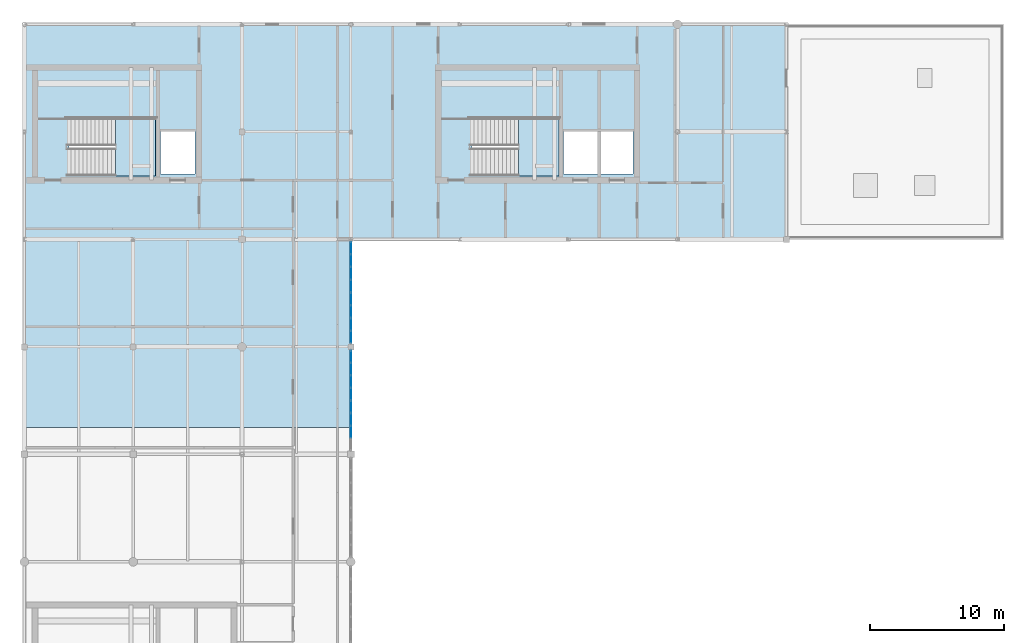
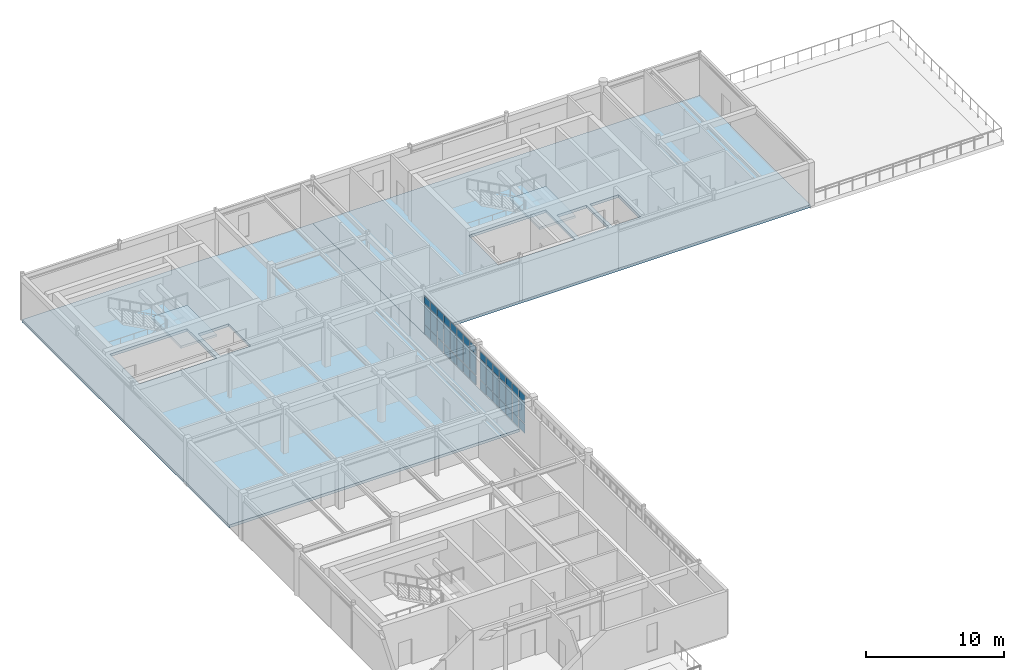
# One storey, part 10 of 18: 45 plates, 4 slabs, 4 elements without a shape of their own.
"""IFC4 building model written with IfcOpenShell, lengths in metres."""

from ifc_helpers import new_model, si_unit, direction, frame, origin, origin_2d, place, context, subcontext, project, spatial, polyline, rectangle, outline, extrude, material, layer, layer_set, type_object, element, aggregate, save


model = new_model("IFC4")

# Units and contexts
model_context = context("Model", 3, precision=1e-05, world=origin(), true_north=direction((0.0, 1.0)))
body_context = subcontext(model_context, "Body", "Model", "MODEL_VIEW")
ifc_project = project(units=[si_unit("LENGTHUNIT", "METRE"), si_unit("AREAUNIT", "SQUARE_METRE"), si_unit("VOLUMEUNIT", "CUBIC_METRE"), si_unit("PLANEANGLEUNIT", "RADIAN"), si_unit("MASSUNIT", "GRAM", prefix="KILO")], contexts=[model_context])

# Site, building, storey
site_placement = place(None, origin())
site = spatial("IfcSite", under=ifc_project, at=site_placement, CompositionType="ELEMENT")
building_placement = place(site_placement, origin())
building = spatial("IfcBuilding", under=site, at=building_placement, Name="Tarnveldt Square Police Headquarters", CompositionType="ELEMENT")
storey_placement = place(building_placement, frame((0.0, 0.0, 29.10009765625)))
storey = spatial("IfcBuildingStorey", under=building, at=storey_placement, Name="L06", CompositionType="ELEMENT", Elevation=29.10009765625)

# Curtain wall, plates
ifc_material_1 = material(Name="Triple-glazed low-e laminated vision glass", Category="glass")
curtain_wall_type_1 = type_object("IfcCurtainWallType", Name="CW-UP-750x349", PredefinedType="USERDEFINED", material=ifc_material_1)
curtain_wall_1_placement = place(storey_placement, origin())
curtain_wall_1 = element("IfcCurtainWall", 1, at=curtain_wall_1_placement, inside=storey, type_object=curtain_wall_type_1, Name="L06 Curtain Wall CW-L06-092", ObjectType="GLAZED CURTAIN WALL", PredefinedType="USERDEFINED")
ifc_layer_1 = layer(ifc_material_1, 0.028076171875)
ifc_layer_set_1 = layer_set([ifc_layer_1], Name="Triple-glazed low-e laminated vision glass")
plate_type = type_object("IfcPlateType", Name="CWP-VIS-28", PredefinedType="CURTAIN_PANEL", material=ifc_layer_set_1)
plate_1_placement = place(storey_placement, frame((40.5, 81.67041015625, 0.06494140625), z_axis=(0.0, 0.0, 1.0), x_axis=(0.0, 1.0, 0.0)))
plate_1 = element("IfcPlate", 2, at=plate_1_placement, type_object=plate_type, Name="CW-UP49 panel 2.1", PredefinedType="CURTAIN_PANEL", context=body_context, shape_type="SweptSolid", body=[
    extrude(rectangle(XDim=0.871826171875, YDim=0.028076171875, at=origin_2d()), origin(), (0.0, 0.0, 1.0), 0.802490234375),
])
plate_2_placement = place(storey_placement, frame((40.5, 81.67041015625, 0.932373046875), z_axis=(0.0, 0.0, 1.0), x_axis=(0.0, 1.0, 0.0)))
plate_2 = element("IfcPlate", 3, at=plate_2_placement, type_object=plate_type, Name="CW-UP49 panel 2.2", PredefinedType="CURTAIN_PANEL", context=body_context, shape_type="SweptSolid", body=[
    extrude(rectangle(XDim=0.871826171875, YDim=0.028076171875, at=origin_2d()), origin(), (0.0, 0.0, 1.0), 1.77392578125),
])
plate_3_placement = place(storey_placement, frame((40.5, 81.67041015625, 2.771484375), z_axis=(0.0, 0.0, 1.0), x_axis=(0.0, 1.0, 0.0)))
plate_3 = element("IfcPlate", 4, at=plate_3_placement, type_object=plate_type, Name="CW-UP49 panel 2.3", PredefinedType="CURTAIN_PANEL", context=body_context, shape_type="SweptSolid", body=[
    extrude(rectangle(XDim=0.871826171875, YDim=0.028076171875, at=origin_2d()), origin(), (0.0, 0.0, 1.0), 0.652587890625),
])
plate_4_placement = place(storey_placement, frame((40.5, 82.607177734375, 0.06494140625), z_axis=(0.0, 0.0, 1.0), x_axis=(0.0, 1.0, 0.0)))
plate_4 = element("IfcPlate", 5, at=plate_4_placement, type_object=plate_type, Name="CW-UP49 panel 3.1", PredefinedType="CURTAIN_PANEL", context=body_context, shape_type="SweptSolid", body=[
    extrude(rectangle(XDim=0.871826171875, YDim=0.028076171875, at=origin_2d()), origin(), (0.0, 0.0, 1.0), 0.802490234375),
])
plate_5_placement = place(storey_placement, frame((40.5, 82.607177734375, 0.932373046875), z_axis=(0.0, 0.0, 1.0), x_axis=(0.0, 1.0, 0.0)))
plate_5 = element("IfcPlate", 6, at=plate_5_placement, type_object=plate_type, Name="CW-UP49 panel 3.2", PredefinedType="CURTAIN_PANEL", context=body_context, shape_type="SweptSolid", body=[
    extrude(rectangle(XDim=0.871826171875, YDim=0.028076171875, at=origin_2d()), origin(), (0.0, 0.0, 1.0), 1.77392578125),
])
plate_6_placement = place(storey_placement, frame((40.5, 82.607177734375, 2.771484375), z_axis=(0.0, 0.0, 1.0), x_axis=(0.0, 1.0, 0.0)))
plate_6 = element("IfcPlate", 7, at=plate_6_placement, type_object=plate_type, Name="CW-UP49 panel 3.3", PredefinedType="CURTAIN_PANEL", context=body_context, shape_type="SweptSolid", body=[
    extrude(rectangle(XDim=0.871826171875, YDim=0.028076171875, at=origin_2d()), origin(), (0.0, 0.0, 1.0), 0.652587890625),
])
plate_7_placement = place(storey_placement, frame((40.5, 83.5439453125, 0.06494140625), z_axis=(0.0, 0.0, 1.0), x_axis=(0.0, 1.0, 0.0)))
plate_7 = element("IfcPlate", 8, at=plate_7_placement, type_object=plate_type, Name="CW-UP49 panel 4.1", PredefinedType="CURTAIN_PANEL", context=body_context, shape_type="SweptSolid", body=[
    extrude(rectangle(XDim=0.871826171875, YDim=0.028076171875, at=origin_2d()), origin(), (0.0, 0.0, 1.0), 0.802490234375),
])
plate_8_placement = place(storey_placement, frame((40.5, 83.5439453125, 0.932373046875), z_axis=(0.0, 0.0, 1.0), x_axis=(0.0, 1.0, 0.0)))
plate_8 = element("IfcPlate", 9, at=plate_8_placement, type_object=plate_type, Name="CW-UP49 panel 4.2", PredefinedType="CURTAIN_PANEL", context=body_context, shape_type="SweptSolid", body=[
    extrude(rectangle(XDim=0.871826171875, YDim=0.028076171875, at=origin_2d()), origin(), (0.0, 0.0, 1.0), 1.77392578125),
])
plate_9_placement = place(storey_placement, frame((40.5, 83.5439453125, 2.771484375), z_axis=(0.0, 0.0, 1.0), x_axis=(0.0, 1.0, 0.0)))
plate_9 = element("IfcPlate", 10, at=plate_9_placement, type_object=plate_type, Name="CW-UP49 panel 4.3", PredefinedType="CURTAIN_PANEL", context=body_context, shape_type="SweptSolid", body=[
    extrude(rectangle(XDim=0.871826171875, YDim=0.028076171875, at=origin_2d()), origin(), (0.0, 0.0, 1.0), 0.652587890625),
])
plate_10_placement = place(storey_placement, frame((40.5, 84.48095703125, 0.06494140625), z_axis=(0.0, 0.0, 1.0), x_axis=(0.0, 1.0, 0.0)))
plate_10 = element("IfcPlate", 11, at=plate_10_placement, type_object=plate_type, Name="CW-UP49 panel 5.1", PredefinedType="CURTAIN_PANEL", context=body_context, shape_type="SweptSolid", body=[
    extrude(rectangle(XDim=0.871826171875, YDim=0.028076171875, at=origin_2d()), origin(), (0.0, 0.0, 1.0), 0.802490234375),
])
plate_11_placement = place(storey_placement, frame((40.5, 84.48095703125, 0.932373046875), z_axis=(0.0, 0.0, 1.0), x_axis=(0.0, 1.0, 0.0)))
plate_11 = element("IfcPlate", 12, at=plate_11_placement, type_object=plate_type, Name="CW-UP49 panel 5.2", PredefinedType="CURTAIN_PANEL", context=body_context, shape_type="SweptSolid", body=[
    extrude(rectangle(XDim=0.871826171875, YDim=0.028076171875, at=origin_2d()), origin(), (0.0, 0.0, 1.0), 1.77392578125),
])
plate_12_placement = place(storey_placement, frame((40.5, 84.48095703125, 2.771484375), z_axis=(0.0, 0.0, 1.0), x_axis=(0.0, 1.0, 0.0)))
plate_12 = element("IfcPlate", 13, at=plate_12_placement, type_object=plate_type, Name="CW-UP49 panel 5.3", PredefinedType="CURTAIN_PANEL", context=body_context, shape_type="SweptSolid", body=[
    extrude(rectangle(XDim=0.871826171875, YDim=0.028076171875, at=origin_2d()), origin(), (0.0, 0.0, 1.0), 0.652587890625),
])
plate_13_placement = place(storey_placement, frame((40.5, 85.417724609375, 0.06494140625), z_axis=(0.0, 0.0, 1.0), x_axis=(0.0, 1.0, 0.0)))
plate_13 = element("IfcPlate", 14, at=plate_13_placement, type_object=plate_type, Name="CW-UP49 panel 6.1", PredefinedType="CURTAIN_PANEL", context=body_context, shape_type="SweptSolid", body=[
    extrude(rectangle(XDim=0.871826171875, YDim=0.028076171875, at=origin_2d()), origin(), (0.0, 0.0, 1.0), 0.802490234375),
])
plate_14_placement = place(storey_placement, frame((40.5, 85.417724609375, 0.932373046875), z_axis=(0.0, 0.0, 1.0), x_axis=(0.0, 1.0, 0.0)))
plate_14 = element("IfcPlate", 15, at=plate_14_placement, type_object=plate_type, Name="CW-UP49 panel 6.2", PredefinedType="CURTAIN_PANEL", context=body_context, shape_type="SweptSolid", body=[
    extrude(rectangle(XDim=0.871826171875, YDim=0.028076171875, at=origin_2d()), origin(), (0.0, 0.0, 1.0), 1.77392578125),
])
plate_15_placement = place(storey_placement, frame((40.5, 85.417724609375, 2.771484375), z_axis=(0.0, 0.0, 1.0), x_axis=(0.0, 1.0, 0.0)))
plate_15 = element("IfcPlate", 16, at=plate_15_placement, type_object=plate_type, Name="CW-UP49 panel 6.3", PredefinedType="CURTAIN_PANEL", context=body_context, shape_type="SweptSolid", body=[
    extrude(rectangle(XDim=0.871826171875, YDim=0.028076171875, at=origin_2d()), origin(), (0.0, 0.0, 1.0), 0.652587890625),
])
plate_16_placement = place(storey_placement, frame((40.5, 86.354736328125, 0.06494140625), z_axis=(0.0, 0.0, 1.0), x_axis=(0.0, 1.0, 0.0)))
plate_16 = element("IfcPlate", 17, at=plate_16_placement, type_object=plate_type, Name="CW-UP49 panel 7.1", PredefinedType="CURTAIN_PANEL", context=body_context, shape_type="SweptSolid", body=[
    extrude(rectangle(XDim=0.871826171875, YDim=0.028076171875, at=origin_2d()), origin(), (0.0, 0.0, 1.0), 0.802490234375),
])
plate_17_placement = place(storey_placement, frame((40.5, 86.354736328125, 0.932373046875), z_axis=(0.0, 0.0, 1.0), x_axis=(0.0, 1.0, 0.0)))
plate_17 = element("IfcPlate", 18, at=plate_17_placement, type_object=plate_type, Name="CW-UP49 panel 7.2", PredefinedType="CURTAIN_PANEL", context=body_context, shape_type="SweptSolid", body=[
    extrude(rectangle(XDim=0.871826171875, YDim=0.028076171875, at=origin_2d()), origin(), (0.0, 0.0, 1.0), 1.77392578125),
])
plate_18_placement = place(storey_placement, frame((40.5, 86.354736328125, 2.771484375), z_axis=(0.0, 0.0, 1.0), x_axis=(0.0, 1.0, 0.0)))
plate_18 = element("IfcPlate", 19, at=plate_18_placement, type_object=plate_type, Name="CW-UP49 panel 7.3", PredefinedType="CURTAIN_PANEL", context=body_context, shape_type="SweptSolid", body=[
    extrude(rectangle(XDim=0.871826171875, YDim=0.028076171875, at=origin_2d()), origin(), (0.0, 0.0, 1.0), 0.652587890625),
])
plate_19_placement = place(storey_placement, frame((40.5, 87.275390625, 0.06494140625), z_axis=(0.0, 0.0, 1.0), x_axis=(0.0, 1.0, 0.0)))
plate_19 = element("IfcPlate", 20, at=plate_19_placement, type_object=plate_type, Name="CW-UP49 panel 8.1", PredefinedType="CURTAIN_PANEL", context=body_context, shape_type="SweptSolid", body=[
    extrude(rectangle(XDim=0.83935546875, YDim=0.028076171875, at=origin_2d()), origin(), (0.0, 0.0, 1.0), 0.802490234375),
])
plate_20_placement = place(storey_placement, frame((40.5, 87.275390625, 0.932373046875), z_axis=(0.0, 0.0, 1.0), x_axis=(0.0, 1.0, 0.0)))
plate_20 = element("IfcPlate", 21, at=plate_20_placement, type_object=plate_type, Name="CW-UP49 panel 8.2", PredefinedType="CURTAIN_PANEL", context=body_context, shape_type="SweptSolid", body=[
    extrude(rectangle(XDim=0.83935546875, YDim=0.028076171875, at=origin_2d()), origin(), (0.0, 0.0, 1.0), 1.77392578125),
])
plate_21_placement = place(storey_placement, frame((40.5, 87.275390625, 2.771484375), z_axis=(0.0, 0.0, 1.0), x_axis=(0.0, 1.0, 0.0)))
plate_21 = element("IfcPlate", 22, at=plate_21_placement, type_object=plate_type, Name="CW-UP49 panel 8.3", PredefinedType="CURTAIN_PANEL", context=body_context, shape_type="SweptSolid", body=[
    extrude(rectangle(XDim=0.83935546875, YDim=0.028076171875, at=origin_2d()), origin(), (0.0, 0.0, 1.0), 0.652587890625),
])
aggregate(curtain_wall_1, [plate_1, plate_2, plate_3, plate_4, plate_5, plate_6, plate_7, plate_8, plate_9, plate_10, plate_11, plate_12, plate_13, plate_14, plate_15, plate_16, plate_17, plate_18, plate_19, plate_20, plate_21])

curtain_wall_type_2 = type_object("IfcCurtainWallType", Name="CW-UP-762x349", PredefinedType="USERDEFINED", material=ifc_material_1)
curtain_wall_2_placement = place(storey_placement, origin())
curtain_wall_2 = element("IfcCurtainWall", 23, at=curtain_wall_2_placement, inside=storey, type_object=curtain_wall_type_2, Name="L06 Curtain Wall CW-L06-093", ObjectType="GLAZED CURTAIN WALL", PredefinedType="USERDEFINED")
plate_22_placement = place(storey_placement, frame((40.5, 88.732177734375, 0.06494140625), z_axis=(0.0, 0.0, 1.0), x_axis=(0.0, 1.0, 0.0)))
plate_22 = element("IfcPlate", 24, at=plate_22_placement, type_object=plate_type, Name="CW-UP50 panel 1.1", PredefinedType="CURTAIN_PANEL", context=body_context, shape_type="SweptSolid", body=[
    extrude(rectangle(XDim=0.8544921875, YDim=0.028076171875, at=origin_2d()), origin(), (0.0, 0.0, 1.0), 0.802490234375),
])
plate_23_placement = place(storey_placement, frame((40.5, 88.732177734375, 0.932373046875), z_axis=(0.0, 0.0, 1.0), x_axis=(0.0, 1.0, 0.0)))
plate_23 = element("IfcPlate", 25, at=plate_23_placement, type_object=plate_type, Name="CW-UP50 panel 1.2", PredefinedType="CURTAIN_PANEL", context=body_context, shape_type="SweptSolid", body=[
    extrude(rectangle(XDim=0.8544921875, YDim=0.028076171875, at=origin_2d()), origin(), (0.0, 0.0, 1.0), 1.77392578125),
])
plate_24_placement = place(storey_placement, frame((40.5, 88.732177734375, 2.771484375), z_axis=(0.0, 0.0, 1.0), x_axis=(0.0, 1.0, 0.0)))
plate_24 = element("IfcPlate", 26, at=plate_24_placement, type_object=plate_type, Name="CW-UP50 panel 1.3", PredefinedType="CURTAIN_PANEL", context=body_context, shape_type="SweptSolid", body=[
    extrude(rectangle(XDim=0.8544921875, YDim=0.028076171875, at=origin_2d()), origin(), (0.0, 0.0, 1.0), 0.652587890625),
])
plate_25_placement = place(storey_placement, frame((40.5, 89.667724609375, 0.06494140625), z_axis=(0.0, 0.0, 1.0), x_axis=(0.0, 1.0, 0.0)))
plate_25 = element("IfcPlate", 27, at=plate_25_placement, type_object=plate_type, Name="CW-UP50 panel 2.1", PredefinedType="CURTAIN_PANEL", context=body_context, shape_type="SweptSolid", body=[
    extrude(rectangle(XDim=0.886962890625, YDim=0.028076171875, at=origin_2d()), origin(), (0.0, 0.0, 1.0), 0.802490234375),
])
plate_26_placement = place(storey_placement, frame((40.5, 89.667724609375, 0.932373046875), z_axis=(0.0, 0.0, 1.0), x_axis=(0.0, 1.0, 0.0)))
plate_26 = element("IfcPlate", 28, at=plate_26_placement, type_object=plate_type, Name="CW-UP50 panel 2.2", PredefinedType="CURTAIN_PANEL", context=body_context, shape_type="SweptSolid", body=[
    extrude(rectangle(XDim=0.886962890625, YDim=0.028076171875, at=origin_2d()), origin(), (0.0, 0.0, 1.0), 1.77392578125),
])
plate_27_placement = place(storey_placement, frame((40.5, 89.667724609375, 2.771484375), z_axis=(0.0, 0.0, 1.0), x_axis=(0.0, 1.0, 0.0)))
plate_27 = element("IfcPlate", 29, at=plate_27_placement, type_object=plate_type, Name="CW-UP50 panel 2.3", PredefinedType="CURTAIN_PANEL", context=body_context, shape_type="SweptSolid", body=[
    extrude(rectangle(XDim=0.886962890625, YDim=0.028076171875, at=origin_2d()), origin(), (0.0, 0.0, 1.0), 0.652587890625),
])
plate_28_placement = place(storey_placement, frame((40.5, 90.61962890625, 0.06494140625), z_axis=(0.0, 0.0, 1.0), x_axis=(0.0, 1.0, 0.0)))
plate_28 = element("IfcPlate", 30, at=plate_28_placement, type_object=plate_type, Name="CW-UP50 panel 3.1", PredefinedType="CURTAIN_PANEL", context=body_context, shape_type="SweptSolid", body=[
    extrude(rectangle(XDim=0.886962890625, YDim=0.028076171875, at=origin_2d()), origin(), (0.0, 0.0, 1.0), 0.802490234375),
])
plate_29_placement = place(storey_placement, frame((40.5, 90.61962890625, 0.932373046875), z_axis=(0.0, 0.0, 1.0), x_axis=(0.0, 1.0, 0.0)))
plate_29 = element("IfcPlate", 31, at=plate_29_placement, type_object=plate_type, Name="CW-UP50 panel 3.2", PredefinedType="CURTAIN_PANEL", context=body_context, shape_type="SweptSolid", body=[
    extrude(rectangle(XDim=0.886962890625, YDim=0.028076171875, at=origin_2d()), origin(), (0.0, 0.0, 1.0), 1.77392578125),
])
plate_30_placement = place(storey_placement, frame((40.5, 90.61962890625, 2.771484375), z_axis=(0.0, 0.0, 1.0), x_axis=(0.0, 1.0, 0.0)))
plate_30 = element("IfcPlate", 32, at=plate_30_placement, type_object=plate_type, Name="CW-UP50 panel 3.3", PredefinedType="CURTAIN_PANEL", context=body_context, shape_type="SweptSolid", body=[
    extrude(rectangle(XDim=0.886962890625, YDim=0.028076171875, at=origin_2d()), origin(), (0.0, 0.0, 1.0), 0.652587890625),
])
plate_31_placement = place(storey_placement, frame((40.5, 91.571533203125, 0.06494140625), z_axis=(0.0, 0.0, 1.0), x_axis=(0.0, 1.0, 0.0)))
plate_31 = element("IfcPlate", 33, at=plate_31_placement, type_object=plate_type, Name="CW-UP50 panel 4.1", PredefinedType="CURTAIN_PANEL", context=body_context, shape_type="SweptSolid", body=[
    extrude(rectangle(XDim=0.886962890625, YDim=0.028076171875, at=origin_2d()), origin(), (0.0, 0.0, 1.0), 0.802490234375),
])
plate_32_placement = place(storey_placement, frame((40.5, 91.571533203125, 0.932373046875), z_axis=(0.0, 0.0, 1.0), x_axis=(0.0, 1.0, 0.0)))
plate_32 = element("IfcPlate", 34, at=plate_32_placement, type_object=plate_type, Name="CW-UP50 panel 4.2", PredefinedType="CURTAIN_PANEL", context=body_context, shape_type="SweptSolid", body=[
    extrude(rectangle(XDim=0.886962890625, YDim=0.028076171875, at=origin_2d()), origin(), (0.0, 0.0, 1.0), 1.77392578125),
])
plate_33_placement = place(storey_placement, frame((40.5, 91.571533203125, 2.771484375), z_axis=(0.0, 0.0, 1.0), x_axis=(0.0, 1.0, 0.0)))
plate_33 = element("IfcPlate", 35, at=plate_33_placement, type_object=plate_type, Name="CW-UP50 panel 4.3", PredefinedType="CURTAIN_PANEL", context=body_context, shape_type="SweptSolid", body=[
    extrude(rectangle(XDim=0.886962890625, YDim=0.028076171875, at=origin_2d()), origin(), (0.0, 0.0, 1.0), 0.652587890625),
])
plate_34_placement = place(storey_placement, frame((40.5, 92.5234375, 0.06494140625), z_axis=(0.0, 0.0, 1.0), x_axis=(0.0, 1.0, 0.0)))
plate_34 = element("IfcPlate", 36, at=plate_34_placement, type_object=plate_type, Name="CW-UP50 panel 5.1", PredefinedType="CURTAIN_PANEL", context=body_context, shape_type="SweptSolid", body=[
    extrude(rectangle(XDim=0.886962890625, YDim=0.028076171875, at=origin_2d()), origin(), (0.0, 0.0, 1.0), 0.802490234375),
])
plate_35_placement = place(storey_placement, frame((40.5, 92.5234375, 0.932373046875), z_axis=(0.0, 0.0, 1.0), x_axis=(0.0, 1.0, 0.0)))
plate_35 = element("IfcPlate", 37, at=plate_35_placement, type_object=plate_type, Name="CW-UP50 panel 5.2", PredefinedType="CURTAIN_PANEL", context=body_context, shape_type="SweptSolid", body=[
    extrude(rectangle(XDim=0.886962890625, YDim=0.028076171875, at=origin_2d()), origin(), (0.0, 0.0, 1.0), 1.77392578125),
])
plate_36_placement = place(storey_placement, frame((40.5, 92.5234375, 2.771484375), z_axis=(0.0, 0.0, 1.0), x_axis=(0.0, 1.0, 0.0)))
plate_36 = element("IfcPlate", 38, at=plate_36_placement, type_object=plate_type, Name="CW-UP50 panel 5.3", PredefinedType="CURTAIN_PANEL", context=body_context, shape_type="SweptSolid", body=[
    extrude(rectangle(XDim=0.886962890625, YDim=0.028076171875, at=origin_2d()), origin(), (0.0, 0.0, 1.0), 0.652587890625),
])
plate_37_placement = place(storey_placement, frame((40.5, 93.475341796875, 0.06494140625), z_axis=(0.0, 0.0, 1.0), x_axis=(0.0, 1.0, 0.0)))
plate_37 = element("IfcPlate", 39, at=plate_37_placement, type_object=plate_type, Name="CW-UP50 panel 6.1", PredefinedType="CURTAIN_PANEL", context=body_context, shape_type="SweptSolid", body=[
    extrude(rectangle(XDim=0.886962890625, YDim=0.028076171875, at=origin_2d()), origin(), (0.0, 0.0, 1.0), 0.802490234375),
])
plate_38_placement = place(storey_placement, frame((40.5, 93.475341796875, 0.932373046875), z_axis=(0.0, 0.0, 1.0), x_axis=(0.0, 1.0, 0.0)))
plate_38 = element("IfcPlate", 40, at=plate_38_placement, type_object=plate_type, Name="CW-UP50 panel 6.2", PredefinedType="CURTAIN_PANEL", context=body_context, shape_type="SweptSolid", body=[
    extrude(rectangle(XDim=0.886962890625, YDim=0.028076171875, at=origin_2d()), origin(), (0.0, 0.0, 1.0), 1.77392578125),
])
plate_39_placement = place(storey_placement, frame((40.5, 93.475341796875, 2.771484375), z_axis=(0.0, 0.0, 1.0), x_axis=(0.0, 1.0, 0.0)))
plate_39 = element("IfcPlate", 41, at=plate_39_placement, type_object=plate_type, Name="CW-UP50 panel 6.3", PredefinedType="CURTAIN_PANEL", context=body_context, shape_type="SweptSolid", body=[
    extrude(rectangle(XDim=0.886962890625, YDim=0.028076171875, at=origin_2d()), origin(), (0.0, 0.0, 1.0), 0.652587890625),
])
plate_40_placement = place(storey_placement, frame((40.5, 94.42724609375, 0.06494140625), z_axis=(0.0, 0.0, 1.0), x_axis=(0.0, 1.0, 0.0)))
plate_40 = element("IfcPlate", 42, at=plate_40_placement, type_object=plate_type, Name="CW-UP50 panel 7.1", PredefinedType="CURTAIN_PANEL", context=body_context, shape_type="SweptSolid", body=[
    extrude(rectangle(XDim=0.886962890625, YDim=0.028076171875, at=origin_2d()), origin(), (0.0, 0.0, 1.0), 0.802490234375),
])
plate_41_placement = place(storey_placement, frame((40.5, 94.42724609375, 0.932373046875), z_axis=(0.0, 0.0, 1.0), x_axis=(0.0, 1.0, 0.0)))
plate_41 = element("IfcPlate", 43, at=plate_41_placement, type_object=plate_type, Name="CW-UP50 panel 7.2", PredefinedType="CURTAIN_PANEL", context=body_context, shape_type="SweptSolid", body=[
    extrude(rectangle(XDim=0.886962890625, YDim=0.028076171875, at=origin_2d()), origin(), (0.0, 0.0, 1.0), 1.77392578125),
])
plate_42_placement = place(storey_placement, frame((40.5, 94.42724609375, 2.771484375), z_axis=(0.0, 0.0, 1.0), x_axis=(0.0, 1.0, 0.0)))
plate_42 = element("IfcPlate", 44, at=plate_42_placement, type_object=plate_type, Name="CW-UP50 panel 7.3", PredefinedType="CURTAIN_PANEL", context=body_context, shape_type="SweptSolid", body=[
    extrude(rectangle(XDim=0.886962890625, YDim=0.028076171875, at=origin_2d()), origin(), (0.0, 0.0, 1.0), 0.652587890625),
])
plate_43_placement = place(storey_placement, frame((40.5, 95.36279296875, 0.06494140625), z_axis=(0.0, 0.0, 1.0), x_axis=(0.0, 1.0, 0.0)))
plate_43 = element("IfcPlate", 45, at=plate_43_placement, type_object=plate_type, Name="CW-UP50 panel 8.1", PredefinedType="CURTAIN_PANEL", context=body_context, shape_type="SweptSolid", body=[
    extrude(rectangle(XDim=0.8544921875, YDim=0.028076171875, at=origin_2d()), origin(), (0.0, 0.0, 1.0), 0.802490234375),
])
plate_44_placement = place(storey_placement, frame((40.5, 95.36279296875, 0.932373046875), z_axis=(0.0, 0.0, 1.0), x_axis=(0.0, 1.0, 0.0)))
plate_44 = element("IfcPlate", 46, at=plate_44_placement, type_object=plate_type, Name="CW-UP50 panel 8.2", PredefinedType="CURTAIN_PANEL", context=body_context, shape_type="SweptSolid", body=[
    extrude(rectangle(XDim=0.8544921875, YDim=0.028076171875, at=origin_2d()), origin(), (0.0, 0.0, 1.0), 1.77392578125),
])
plate_45_placement = place(storey_placement, frame((40.5, 95.36279296875, 2.771484375), z_axis=(0.0, 0.0, 1.0), x_axis=(0.0, 1.0, 0.0)))
plate_45 = element("IfcPlate", 47, at=plate_45_placement, type_object=plate_type, Name="CW-UP50 panel 8.3", PredefinedType="CURTAIN_PANEL", context=body_context, shape_type="SweptSolid", body=[
    extrude(rectangle(XDim=0.8544921875, YDim=0.028076171875, at=origin_2d()), origin(), (0.0, 0.0, 1.0), 0.652587890625),
])
aggregate(curtain_wall_2, [plate_22, plate_23, plate_24, plate_25, plate_26, plate_27, plate_28, plate_29, plate_30, plate_31, plate_32, plate_33, plate_34, plate_35, plate_36, plate_37, plate_38, plate_39, plate_40, plate_41, plate_42, plate_43, plate_44, plate_45])

# Stair, slab
ifc_material_2 = material(Name="Concrete 40 MPa", Category="concrete")
stair_type = type_object("IfcStairType", Name="STR-HT-48A", PredefinedType="HALF_TURN_STAIR", material=ifc_material_2)
stair_1_placement = place(storey_placement, origin())
stair_1 = element("IfcStair", 48, at=stair_1_placement, inside=storey, type_object=stair_type, Name="L06 Core K2 Exit Stair ST2", PredefinedType="HALF_TURN_STAIR")
ifc_layer_2 = layer(ifc_material_2, 0.179931640625)
ifc_layer_set_2 = layer_set([ifc_layer_2], Name="Concrete 40 MPa")
slab_type_1 = type_object("IfcSlabType", Name="SL-LND-180", PredefinedType="LANDING", material=ifc_layer_set_2)
slab_1_placement = place(storey_placement, frame((0.0, 0.0, 1.89990234375)))
slab_1 = element("IfcSlab", 49, at=slab_1_placement, type_object=slab_type_1, Name="ST2 landing 1", PredefinedType="LANDING", context=body_context, shape_type="SweptSolid", body=[
    extrude(outline(polyline([(22.969970703125, 100.719970703125), (25.969970703125, 100.719970703125), (25.969970703125, 105.02001953125), (22.969970703125, 105.02001953125), (22.969970703125, 100.719970703125)])), origin(), (0.0, 0.0, 1.0), 0.199951171875),
])
aggregate(stair_1, [slab_1])

stair_2_placement = place(storey_placement, origin())
stair_2 = element("IfcStair", 50, at=stair_2_placement, inside=storey, type_object=stair_type, Name="L06 Core K3 Exit Stair ST3", PredefinedType="HALF_TURN_STAIR")
slab_2_placement = place(storey_placement, frame((0.0, 0.0, 1.89990234375)))
slab_2 = element("IfcSlab", 51, at=slab_2_placement, type_object=slab_type_1, Name="ST3 landing 1", PredefinedType="LANDING", context=body_context, shape_type="SweptSolid", body=[
    extrude(outline(polyline([(52.969970703125, 100.719970703125), (55.969970703125, 100.719970703125), (55.969970703125, 105.02001953125), (52.969970703125, 105.02001953125), (52.969970703125, 100.719970703125)])), origin(), (0.0, 0.0, 1.0), 0.199951171875),
])
aggregate(stair_2, [slab_2])

# Slabs
ifc_layer_3 = layer(ifc_material_2, 0.239990234375)
ifc_layer_set_3 = layer_set([ifc_layer_3], Name="Concrete 40 MPa")
slab_type_2 = type_object("IfcSlabType", Name="SL-UPP-240", PredefinedType="FLOOR", material=ifc_layer_set_3)
slab_3_placement = place(storey_placement, frame((0.0, 0.0, -0.239990234375)))
element("IfcSlab", 52, at=slab_3_placement, inside=storey, type_object=slab_type_2, Name="L06 Structural Floor Slab L06-V5-2", PredefinedType="FLOOR", context=body_context, shape_type="SweptSolid", body=[
    extrude(outline(polyline([(40.5, 112.0), (40.5, 82.0), (16.199951171875, 82.0), (16.199951171875, 112.0), (40.5, 112.0)]), holes=[polyline([(26.330078125, 100.85009765625), (28.8798828125, 100.85009765625), (28.8798828125, 104.050048828125), (26.330078125, 104.050048828125), (26.330078125, 100.85009765625)]), polyline([(19.510009765625, 100.719970703125), (25.969970703125, 100.719970703125), (25.969970703125, 105.02001953125), (19.510009765625, 105.02001953125), (19.510009765625, 100.719970703125)])]), origin(), (0.0, 0.0, 1.0), 0.239990234375),
])
slab_4_placement = place(storey_placement, frame((0.0, 0.0, -0.239990234375)))
element("IfcSlab", 53, at=slab_4_placement, inside=storey, type_object=slab_type_2, Name="L06 Structural Floor Slab L06-V5N-1", PredefinedType="FLOOR", context=body_context, shape_type="SweptSolid", body=[
    extrude(outline(polyline([(40.5, 96.0), (40.5, 112.0), (72.89990234375, 112.0), (72.89990234375, 96.0), (40.5, 96.0)]), holes=[polyline([(56.330078125, 100.85009765625), (58.8349609375, 100.85009765625), (58.8349609375, 104.050048828125), (56.330078125, 104.050048828125), (56.330078125, 100.85009765625)]), polyline([(59.114990234375, 100.85009765625), (61.47998046875, 100.85009765625), (61.47998046875, 104.050048828125), (59.114990234375, 104.050048828125), (59.114990234375, 100.85009765625)]), polyline([(49.510009765625, 100.719970703125), (55.969970703125, 100.719970703125), (55.969970703125, 105.02001953125), (49.510009765625, 105.02001953125), (49.510009765625, 100.719970703125)])]), origin(), (0.0, 0.0, 1.0), 0.239990234375),
])

save(model, "model.ifc")
